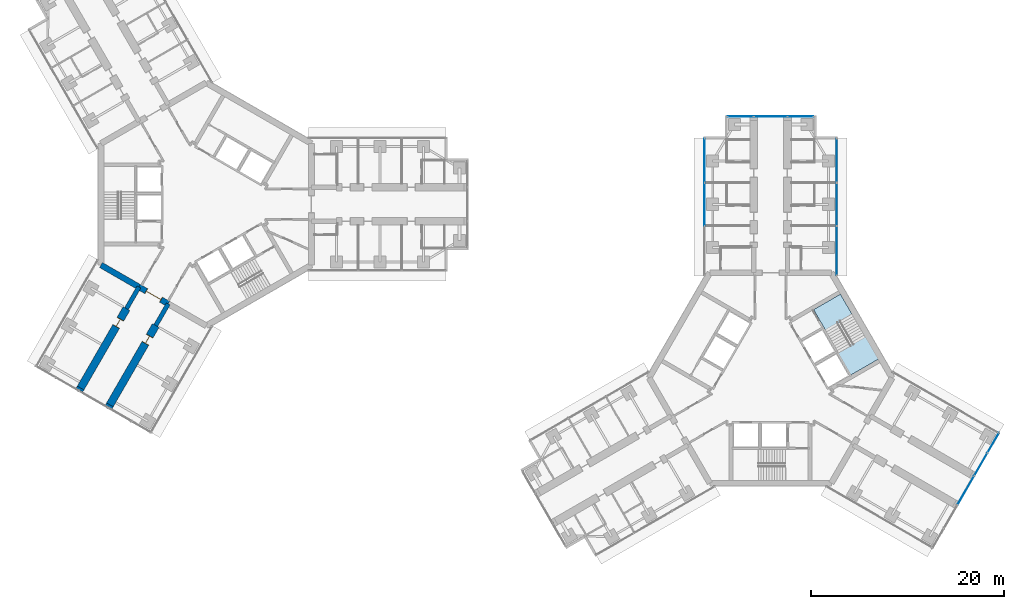
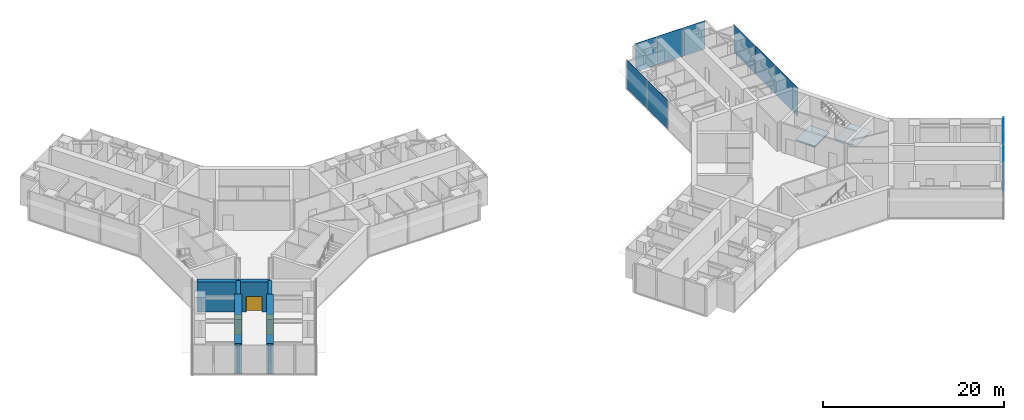
# One storey, part 14 of 23: 11 plates, 8 walls, 3 doors, 2 slabs, 3 openings, 5 elements without a shape of their own.
"""IFC4 building model written with IfcOpenShell, lengths in metres."""

from ifc_helpers import new_model, si_unit, direction, frame, frame_2d, origin, origin_2d, place, context, subcontext, project, spatial, polyline, rectangle, outline, extrude, material, layer, layer_set, type_object, element, fill, aggregate, save


model = new_model("IFC4")

# Units and contexts
model_context = context("Model", 3, precision=1e-05, world=origin(), true_north=direction((0.0, 1.0)))
body_context = subcontext(model_context, "Body", "Model", "MODEL_VIEW")
ifc_project = project(units=[si_unit("LENGTHUNIT", "METRE"), si_unit("AREAUNIT", "SQUARE_METRE"), si_unit("VOLUMEUNIT", "CUBIC_METRE"), si_unit("PLANEANGLEUNIT", "RADIAN"), si_unit("MASSUNIT", "GRAM", prefix="KILO")], contexts=[model_context])

# Site, building, storey
site_placement = place(None, origin())
site = spatial("IfcSite", under=ifc_project, at=site_placement, CompositionType="ELEMENT")
building_placement = place(site_placement, origin())
building = spatial("IfcBuilding", under=site, at=building_placement, Name="Upepo Twin Towers", CompositionType="ELEMENT")
storey_placement = place(building_placement, frame((0.0, 0.0, 153.5)))
storey = spatial("IfcBuildingStorey", under=building, at=storey_placement, Name="L37", CompositionType="ELEMENT", Elevation=153.5)

# Curtain wall, plates
ifc_material_1 = material(Name="Aluminium and fritted glass", Category="aluminium")
curtain_wall_type = type_object("IfcCurtainWallType", Name="Tower curtain wall TW2, fritted glass", PredefinedType="NOTDEFINED", material=ifc_material_1)
curtain_wall_1_placement = place(storey_placement, origin())
curtain_wall_1 = element("IfcCurtainWall", 1, at=curtain_wall_1_placement, inside=storey, type_object=curtain_wall_type, Name="T2 L37 wing A flank L curtain wall", PredefinedType="NOTDEFINED")
ifc_material_2 = material(Name="Ceramic-fritted laminated glass", Category="glass")
ifc_layer_1 = layer(ifc_material_2, 0.031982421875)
ifc_layer_set_1 = layer_set([ifc_layer_1], Name="Fritted glass panel, 45 per cent dot frit, 32 mm double glazed")
plate_type_1 = type_object("IfcPlateType", Name="Fritted glass panel, 45 per cent dot frit, 32 mm double glazed", PredefinedType="CURTAIN_PANEL", material=ifc_layer_set_1)
plate_1_placement = place(storey_placement, frame((51.64990234375, 0.0, 0.14990234375), z_axis=(0.0, 0.0, 1.0), x_axis=(0.0, 1.0, 0.0)))
plate_1 = element("IfcPlate", 2, at=plate_1_placement, type_object=plate_type_1, Name="T2 L37 wing A flank L curtain wall panel 2", PredefinedType="CURTAIN_PANEL", context=body_context, shape_type="SweptSolid", body=[
    extrude(rectangle(XDim=4.43505859375, YDim=0.031982421875, at=origin_2d()), origin(), (0.0, 0.0, 1.0), 3.85009765625),
])
plate_2_placement = place(storey_placement, frame((51.64990234375, 4.53369140625, 0.14990234375), z_axis=(0.0, 0.0, 1.0), x_axis=(0.0, 1.0, 0.0)))
plate_2 = element("IfcPlate", 3, at=plate_2_placement, type_object=plate_type_1, Name="T2 L37 wing A flank L curtain wall panel 3", PredefinedType="CURTAIN_PANEL", context=body_context, shape_type="SweptSolid", body=[
    extrude(rectangle(XDim=4.50244140625, YDim=0.031982421875, at=origin_2d()), origin(), (0.0, 0.0, 1.0), 3.85009765625),
])
aggregate(curtain_wall_1, [plate_1, plate_2])

curtain_wall_2_placement = place(storey_placement, origin())
curtain_wall_2 = element("IfcCurtainWall", 4, at=curtain_wall_2_placement, inside=storey, type_object=curtain_wall_type, Name="T2 L37 wing A flank R curtain wall", PredefinedType="NOTDEFINED")
plate_3_placement = place(storey_placement, frame((65.35009765625, 4.53369140625, 0.14990234375), z_axis=(0.0, 0.0, 1.0), x_axis=(0.0, -1.0, 0.0)))
plate_3 = element("IfcPlate", 5, at=plate_3_placement, type_object=plate_type_1, Name="T2 L37 wing A flank R curtain wall panel 1", PredefinedType="CURTAIN_PANEL", context=body_context, shape_type="SweptSolid", body=[
    extrude(rectangle(XDim=4.50244140625, YDim=0.031982421875, at=origin_2d()), origin(), (0.0, 0.0, 1.0), 3.85009765625),
])
plate_4_placement = place(storey_placement, frame((65.35009765625, 0.0, 0.14990234375), z_axis=(0.0, 0.0, 1.0), x_axis=(0.0, -1.0, 0.0)))
plate_4 = element("IfcPlate", 6, at=plate_4_placement, type_object=plate_type_1, Name="T2 L37 wing A flank R curtain wall panel 2", PredefinedType="CURTAIN_PANEL", context=body_context, shape_type="SweptSolid", body=[
    extrude(rectangle(XDim=4.43505859375, YDim=0.031982421875, at=origin_2d()), origin(), (0.0, 0.0, 1.0), 3.85009765625),
])
plate_5_placement = place(storey_placement, frame((65.35009765625, -4.815185546875, 0.14990234375), z_axis=(0.0, 0.0, 1.0), x_axis=(0.0, -1.0, 0.0)))
plate_5 = element("IfcPlate", 7, at=plate_5_placement, type_object=plate_type_1, Name="T2 L37 wing A flank R curtain wall panel 3", PredefinedType="CURTAIN_PANEL", context=body_context, shape_type="SweptSolid", body=[
    extrude(rectangle(XDim=5.0654296875, YDim=0.031982421875, at=origin_2d()), origin(), (0.0, 0.0, 1.0), 3.85009765625),
])
aggregate(curtain_wall_2, [plate_3, plate_4, plate_5])

# Curtain wall, plate
curtain_wall_3_placement = place(storey_placement, origin())
curtain_wall_3 = element("IfcCurtainWall", 8, at=curtain_wall_3_placement, inside=storey, type_object=curtain_wall_type, Name="T2 L37 wing A nose curtain wall", PredefinedType="NOTDEFINED")
plate_6_placement = place(storey_placement, frame((58.5, 9.10009765625, 0.14990234375), z_axis=(0.0, 0.0, 1.0), x_axis=(-1.0, 0.0, 0.0)))
plate_6 = element("IfcPlate", 9, at=plate_6_placement, type_object=plate_type_1, Name="T2 L37 wing A nose curtain wall panel 2", PredefinedType="CURTAIN_PANEL", context=body_context, shape_type="SweptSolid", body=[
    extrude(rectangle(XDim=3.43505859375, YDim=0.031982421875, at=origin_2d()), origin(), (0.0, 0.0, 1.0), 3.85009765625),
])

# Curtain wall, plates
curtain_wall_4_placement = place(storey_placement, origin())
curtain_wall_4 = element("IfcCurtainWall", 10, at=curtain_wall_4_placement, inside=storey, type_object=curtain_wall_type, Name="T2 L37 wing C nose curtain wall", PredefinedType="NOTDEFINED")
plate_7_placement = place(storey_placement, frame((78.7216796875, -29.675048828125, 0.14990234375), z_axis=(0.0, 0.0, 1.0), x_axis=(0.499999972355, 0.866025419745, 0.0)))
plate_7 = element("IfcPlate", 11, at=plate_7_placement, type_object=plate_type_1, Name="T2 L37 wing C nose curtain wall panel 3", PredefinedType="CURTAIN_PANEL", context=body_context, shape_type="SweptSolid", body=[
    extrude(rectangle(XDim=3.43505859375, YDim=0.031982421875, at=origin_2d()), origin(), (0.0, 0.0, 1.0), 3.85009765625),
])
plate_8_placement = place(storey_placement, frame((80.2841796875, -26.96875, 0.14990234375), z_axis=(0.0, 0.0, 1.0), x_axis=(0.499999972355, 0.866025419745, 0.0)))
plate_8 = element("IfcPlate", 12, at=plate_8_placement, type_object=plate_type_1, Name="T2 L37 wing C nose curtain wall panel 4", PredefinedType="CURTAIN_PANEL", context=body_context, shape_type="SweptSolid", body=[
    extrude(rectangle(XDim=2.68505859375, YDim=0.031982421875, at=origin_2d()), origin(), (0.0, 0.0, 1.0), 3.85009765625),
])

# Plate
ifc_material_3 = material(Name="Clear laminated glass in opening sash", Category="glass")
ifc_layer_2 = layer(ifc_material_3, 0.031982421875)
ifc_layer_set_2 = layer_set([ifc_layer_2], Name="Operable glass panel, 32 mm double glazed")
plate_type_2 = type_object("IfcPlateType", Name="Operable glass panel, 32 mm double glazed", PredefinedType="CURTAIN_PANEL", material=ifc_layer_set_2)
plate_9_placement = place(storey_placement, frame((61.608642578125, 9.10009765625, 0.14990234375), z_axis=(0.0, 0.0, 1.0), x_axis=(-1.0, 0.0, 0.0)))
plate_9 = element("IfcPlate", 13, at=plate_9_placement, type_object=plate_type_2, Name="T2 L37 wing A nose curtain wall panel 1", PredefinedType="CURTAIN_PANEL", context=body_context, shape_type="SweptSolid", body=[
    extrude(rectangle(XDim=2.652587890625, YDim=0.031982421875, at=origin_2d()), origin(), (0.0, 0.0, 1.0), 3.85009765625),
])

plate_10_placement = place(storey_placement, frame((55.391357421875, 9.10009765625, 0.14990234375), z_axis=(0.0, 0.0, 1.0), x_axis=(-1.0, 0.0, 0.0)))
plate_10 = element("IfcPlate", 14, at=plate_10_placement, type_object=plate_type_2, Name="T2 L37 wing A nose curtain wall panel 3", PredefinedType="CURTAIN_PANEL", context=body_context, shape_type="SweptSolid", body=[
    extrude(rectangle(XDim=2.652587890625, YDim=0.031982421875, at=origin_2d()), origin(), (0.0, 0.0, 1.0), 3.85009765625),
])

aggregate(curtain_wall_3, [plate_9, plate_6, plate_10])

plate_11_placement = place(storey_placement, frame((81.576171875, -24.73095703125, 0.14990234375), z_axis=(0.0, 0.0, 1.0), x_axis=(0.499999972355, 0.866025419745, 0.0)))
plate_11 = element("IfcPlate", 15, at=plate_11_placement, type_object=plate_type_2, Name="T2 L37 wing C nose curtain wall panel 5", PredefinedType="CURTAIN_PANEL", context=body_context, shape_type="SweptSolid", body=[
    extrude(rectangle(XDim=2.3525390625, YDim=0.031982421875, at=origin_2d()), origin(), (0.0, 0.0, 1.0), 3.85009765625),
])

aggregate(curtain_wall_4, [plate_7, plate_8, plate_11])

# Stair, slabs
ifc_material_4 = material(Name="Concrete C40/50", Category="concrete")
stair_type = type_object("IfcStairType", Name="Core stair, two flights", PredefinedType="HALF_TURN_STAIR", material=ifc_material_4)
stair_placement = place(storey_placement, origin())
stair = element("IfcStair", 16, at=stair_placement, inside=storey, type_object=stair_type, Name="T2 stair S2 L37", PredefinedType="HALF_TURN_STAIR")
ifc_material_5 = material(Name="Concrete C40/50", Category="concrete")
ifc_layer_3 = layer(ifc_material_5, 0.199951171875)
ifc_layer_set_3 = layer_set([ifc_layer_3], Name="Concrete C40/50")
slab_type = type_object("IfcSlabType", Name="Stair landing 200 RC", PredefinedType="LANDING", material=ifc_layer_set_3)
slab_1_placement = place(storey_placement, frame((0.0, 0.0, -0.199951171875)))
slab_1 = element("IfcSlab", 17, at=slab_1_placement, type_object=slab_type, Name="Stair S2 landing 1", PredefinedType="LANDING", context=body_context, shape_type="SweptSolid", body=[
    extrude(outline(polyline([(64.198486328125, -13.0703125), (66.97705078125, -11.466064453125), (65.737060546875, -9.318359375), (62.95849609375, -10.922607421875), (64.198486328125, -13.0703125)])), origin(), (0.0, 0.0, 1.0), 0.199951171875),
])
slab_2_placement = place(storey_placement, frame((0.0, 0.0, 1.800048828125)))
slab_2 = element("IfcSlab", 18, at=slab_2_placement, type_object=slab_type, Name="Stair S2 landing 2", PredefinedType="LANDING", context=body_context, shape_type="SweptSolid", body=[
    extrude(outline(polyline([(66.77197265625, -17.7275390625), (69.7236328125, -16.0234375), (68.36376953125, -13.667724609375), (65.411865234375, -15.371826171875), (66.77197265625, -17.7275390625)])), origin(), (0.0, 0.0, 1.0), 0.199951171875),
])
aggregate(stair, [slab_1, slab_2])

# Walls
ifc_material_6 = material(Name="Dense concrete blockwork", Category="masonry")
ifc_layer_4 = layer(ifc_material_6, 0.800048828125)
ifc_layer_set_4 = layer_set([ifc_layer_4], Name="Buttress closer 800, blockwork with fire-stopping to the curtain wall")
wall_type_1 = type_object("IfcWallType", Name="Buttress closer 800, blockwork with fire-stopping to the curtain wall", PredefinedType="PARTITIONING", material=ifc_layer_set_4)
for number, where, z_axis, x_axis, name in (
    (19, (-9.984375, -20.793701171875, 0.0), (0.0, 0.0, 1.0), (-0.500342721131, -0.865827443207, 0.0), "T1 L37 wing C buttress closer L"),
    (20, (-13.015625, -19.043701171875, 0.0), (0.0, 0.0, 1.0), (-0.500342721131, -0.865827443207, 0.0), "T1 L37 wing C buttress closer R"),
):
    element("IfcWall", number, at=place(storey_placement, frame(where, z_axis=z_axis, x_axis=x_axis)), inside=storey, type_object=wall_type_1, Name=name, PredefinedType="PARTITIONING", context=body_context, shape_type="SweptSolid", body=[
        extrude(rectangle(XDim=0.249755859375, YDim=0.800048828125, at=frame_2d((0.125, 0.0))), origin(), (0.0, 0.0, 1.0), 3.800048828125),
    ])
ifc_material_7 = material(Name="Concrete C60/75", Category="concrete")
ifc_layer_5 = layer(ifc_material_7, 0.449951171875)
ifc_layer_set_5 = layer_set([ifc_layer_5], Name="Concrete C60/75")
wall_type_2 = type_object("IfcWallType", Name="Buttress wall 450 RC", PredefinedType="SHEAR", material=ifc_layer_set_5)
for number, where, z_axis, x_axis, name in (
    (21, (-3.938720703125, -10.32177734375, 0.0), (0.0, 0.0, 1.0), (-0.499918158782, -0.866072649678, 0.0), "T1 wing C buttress wall L"),
    (22, (-6.9697265625, -8.57177734375, 0.0), (0.0, 0.0, 1.0), (-0.499988811324, -0.866031863473, 0.0), "T1 wing C buttress wall R"),
):
    element("IfcWall", number, at=place(storey_placement, frame(where, z_axis=z_axis, x_axis=x_axis)), inside=storey, type_object=wall_type_2, Name=name, PredefinedType="SHEAR", context=body_context, shape_type="SweptSolid", body=[
        extrude(rectangle(XDim=2.591796875, YDim=0.449951171875, at=frame_2d((1.2958984375, 0.0))), origin(), (0.0, 0.0, 1.0), 4.0),
    ])

# Wall, opening, door
ifc_material_8 = material(Name="Concrete C60/75", Category="concrete")
ifc_layer_6 = layer(ifc_material_8, 0.800048828125)
ifc_layer_set_6 = layer_set([ifc_layer_6], Name="Concrete C60/75")
wall_type_3 = type_object("IfcWallType", Name="Buttress wall 800 RC", PredefinedType="SHEAR", material=ifc_layer_set_6)
wall_1_placement = place(storey_placement, frame((-5.234375, -12.56640625, 0.0), z_axis=(0.0, 0.0, 1.0), x_axis=(-0.499997557548, -0.86602681393, 0.0)))
wall_1 = element("IfcWall", 23, at=wall_1_placement, inside=storey, type_object=wall_type_3, Name="T1 wing C buttress wall L part 2", PredefinedType="SHEAR", context=body_context, shape_type="SweptSolid", body=[
    extrude(rectangle(XDim=9.5, YDim=0.800048828125, at=frame_2d((4.75, 0.0))), origin(), (0.0, 0.0, 1.0), 4.0),
])
opening_1_placement = place(wall_1_placement, frame((1.25, 0.0, 0.0)))
opening_1 = element("IfcOpeningElement", 24, at=opening_1_placement, cuts=wall_1, Name="Opening D14", PredefinedType="OPENING", context=body_context, shape_type="SweptSolid", body=[
    extrude(rectangle(XDim=0.89990234375, YDim=2.10009765625, at=frame_2d((0.449951171875, 1.050048828125))), frame((0.0, 0.409912109375, 0.0), z_axis=(0.0, -1.0, 0.0), x_axis=(1.0, 0.0, 0.0)), (0.0, 0.0, 1.0), 0.820068359375),
])
ifc_material_9 = material(Name="Timber doorset", Category="wood")
door_type_1 = type_object("IfcDoorType", Name="Office door 900 FD30", OperationType="SINGLE_SWING_LEFT", PredefinedType="DOOR", material=ifc_material_9)
door_1_placement = place(opening_1_placement, origin())
door_1 = element("IfcDoor", 25, at=door_1_placement, inside=storey, type_object=door_type_1, Name="T1 L37 postgraduate office door", OperationType="SINGLE_SWING_LEFT", OverallHeight=2.10009765625, OverallWidth=0.89990234375, PredefinedType="DOOR", context=body_context, shape_type="SweptSolid", body=[
    extrude(rectangle(XDim=0.81990234375, YDim=2.06009765625, at=frame_2d((0.449951171875, 1.030029296875))), frame((0.0, 0.02490234375, 0.0), z_axis=(0.0, -1.0, 0.0), x_axis=(1.0, 0.0, 0.0)), (0.0, 0.0, 1.0), 0.050048828125),
    extrude(rectangle(XDim=0.04, YDim=2.10009765625, at=frame_2d((0.02001953125, 1.050048828125))), frame((0.0, 0.39990234375, 0.0), z_axis=(0.0, -1.0, 0.0), x_axis=(1.0, 0.0, 0.0)), (0.0, 0.0, 1.0), 0.799560546875),
    extrude(rectangle(XDim=0.04, YDim=2.10009765625, at=frame_2d((0.8798828125, 1.050048828125))), frame((0.0, 0.39990234375, 0.0), z_axis=(0.0, -1.0, 0.0), x_axis=(1.0, 0.0, 0.0)), (0.0, 0.0, 1.0), 0.799560546875),
    extrude(rectangle(XDim=0.81990234375, YDim=0.04, at=frame_2d((0.449951171875, 2.080078125))), frame((0.0, 0.39990234375, 0.0), z_axis=(0.0, -1.0, 0.0), x_axis=(1.0, 0.0, 0.0)), (0.0, 0.0, 1.0), 0.799560546875),
])
fill(opening_1, door_1)

wall_2_placement = place(storey_placement, frame((-8.265625, -10.81640625, 0.0), z_axis=(0.0, 0.0, 1.0), x_axis=(-0.499997557548, -0.86602681393, 0.0)))
wall_2 = element("IfcWall", 26, at=wall_2_placement, inside=storey, type_object=wall_type_3, Name="T1 wing C buttress wall R part 2", PredefinedType="SHEAR", context=body_context, shape_type="SweptSolid", body=[
    extrude(rectangle(XDim=9.5, YDim=0.800048828125, at=frame_2d((4.75, 0.0))), origin(), (0.0, 0.0, 1.0), 4.0),
])
opening_2_placement = place(wall_2_placement, frame((1.25, 0.0, 0.0)))
opening_2 = element("IfcOpeningElement", 27, at=opening_2_placement, cuts=wall_2, Name="Opening D14", PredefinedType="OPENING", context=body_context, shape_type="SweptSolid", body=[
    extrude(rectangle(XDim=0.89990234375, YDim=2.10009765625, at=frame_2d((0.449951171875, 1.050048828125))), frame((0.0, 0.409912109375, 0.0), z_axis=(0.0, -1.0, 0.0), x_axis=(1.0, 0.0, 0.0)), (0.0, 0.0, 1.0), 0.820068359375),
])
door_2_placement = place(opening_2_placement, origin())
door_2 = element("IfcDoor", 28, at=door_2_placement, inside=storey, type_object=door_type_1, Name="T1 L37 postgraduate office door", OperationType="SINGLE_SWING_LEFT", OverallHeight=2.10009765625, OverallWidth=0.89990234375, PredefinedType="DOOR", context=body_context, shape_type="SweptSolid", body=[
    extrude(rectangle(XDim=0.81990234375, YDim=2.06009765625, at=frame_2d((0.449951171875, 1.030029296875))), frame((0.0, 0.02490234375, 0.0), z_axis=(0.0, -1.0, 0.0), x_axis=(1.0, 0.0, 0.0)), (0.0, 0.0, 1.0), 0.050048828125),
    extrude(rectangle(XDim=0.04, YDim=2.10009765625, at=frame_2d((0.02001953125, 1.050048828125))), frame((0.0, 0.39990234375, 0.0), z_axis=(0.0, -1.0, 0.0), x_axis=(1.0, 0.0, 0.0)), (0.0, 0.0, 1.0), 0.799560546875),
    extrude(rectangle(XDim=0.04, YDim=2.10009765625, at=frame_2d((0.8798828125, 1.050048828125))), frame((0.0, 0.39990234375, 0.0), z_axis=(0.0, -1.0, 0.0), x_axis=(1.0, 0.0, 0.0)), (0.0, 0.0, 1.0), 0.799560546875),
    extrude(rectangle(XDim=0.81990234375, YDim=0.04, at=frame_2d((0.449951171875, 2.080078125))), frame((0.0, 0.39990234375, 0.0), z_axis=(0.0, -1.0, 0.0), x_axis=(1.0, 0.0, 0.0)), (0.0, 0.0, 1.0), 0.799560546875),
])
fill(opening_2, door_2)

# Wall
ifc_material_10 = material(Name="Concrete C60/75", Category="concrete")
ifc_layer_7 = layer(ifc_material_10, 0.60009765625)
ifc_layer_set_7 = layer_set([ifc_layer_7], Name="Concrete C60/75")
wall_type_4 = type_object("IfcWallType", Name="Core wall 600 RC", PredefinedType="SHEAR", material=ifc_layer_set_7)
wall_3_placement = place(storey_placement, frame((-10.908447265625, -6.2978515625, 0.0), z_axis=(0.0, 0.0, 1.0), x_axis=(0.866034513004, -0.499984222037, 0.0)))
element("IfcWall", 29, at=wall_3_placement, inside=storey, type_object=wall_type_4, Name="T1 core wall 240 R", PredefinedType="SHEAR", context=body_context, shape_type="SweptSolid", body=[
    extrude(rectangle(XDim=4.548095703125, YDim=0.60009765625, at=frame_2d((2.27392578125, 0.0))), origin(), (0.0, 0.0, 1.0), 4.0),
])

# Wall, opening, door
wall_4_placement = place(storey_placement, frame((-6.9697265625, -8.57177734375, 0.0), z_axis=(0.0, 0.0, 1.0), x_axis=(0.866019471182, -0.500010275428, 0.0)))
wall_4 = element("IfcWall", 30, at=wall_4_placement, inside=storey, type_object=wall_type_4, Name="T1 core wall 240", PredefinedType="SHEAR", context=body_context, shape_type="SweptSolid", body=[
    extrude(rectangle(XDim=3.5, YDim=0.60009765625, at=frame_2d((1.75, 0.0))), origin(), (0.0, 0.0, 1.0), 4.0),
])
opening_3_placement = place(wall_4_placement, frame((0.85009765625, 0.0, 0.0)))
opening_3 = element("IfcOpeningElement", 31, at=opening_3_placement, cuts=wall_4, Name="Opening D2", PredefinedType="OPENING", context=body_context, shape_type="SweptSolid", body=[
    extrude(rectangle(XDim=1.800048828125, YDim=2.10009765625, at=frame_2d((0.89990234375, 1.050048828125))), frame((0.0, 0.31005859375, 0.0), z_axis=(0.0, -1.0, 0.0), x_axis=(1.0, 0.0, 0.0)), (0.0, 0.0, 1.0), 0.6201171875),
])
ifc_material_11 = material(Name="Timber doorset", Category="wood")
door_type_2 = type_object("IfcDoorType", Name="Corridor double door 1800 FD60", OperationType="DOUBLE_DOOR_DOUBLE_SWING", PredefinedType="DOOR", material=ifc_material_11)
door_3_placement = place(opening_3_placement, origin())
door_3 = element("IfcDoor", 32, at=door_3_placement, inside=storey, type_object=door_type_2, Name="T1 L37 wing C corridor door", OperationType="DOUBLE_DOOR_DOUBLE_SWING", OverallHeight=2.10009765625, OverallWidth=1.800048828125, PredefinedType="DOOR", context=body_context, shape_type="SweptSolid", body=[
    extrude(rectangle(XDim=1.720048828125, YDim=2.06009765625, at=frame_2d((0.89990234375, 1.030029296875))), frame((0.0, 0.02490234375, 0.0), z_axis=(0.0, -1.0, 0.0), x_axis=(1.0, 0.0, 0.0)), (0.0, 0.0, 1.0), 0.050048828125),
    extrude(rectangle(XDim=0.04, YDim=2.10009765625, at=frame_2d((0.02001953125, 1.050048828125))), frame((0.0, 0.2998046875, 0.0), z_axis=(0.0, -1.0, 0.0), x_axis=(1.0, 0.0, 0.0)), (0.0, 0.0, 1.0), 0.599609375),
    extrude(rectangle(XDim=0.04, YDim=2.10009765625, at=frame_2d((1.780029296875, 1.050048828125))), frame((0.0, 0.2998046875, 0.0), z_axis=(0.0, -1.0, 0.0), x_axis=(1.0, 0.0, 0.0)), (0.0, 0.0, 1.0), 0.599609375),
    extrude(rectangle(XDim=1.720048828125, YDim=0.04, at=frame_2d((0.89990234375, 2.080078125))), frame((0.0, 0.2998046875, 0.0), z_axis=(0.0, -1.0, 0.0), x_axis=(1.0, 0.0, 0.0)), (0.0, 0.0, 1.0), 0.599609375),
])
fill(opening_3, door_3)

save(model, "model.ifc")
